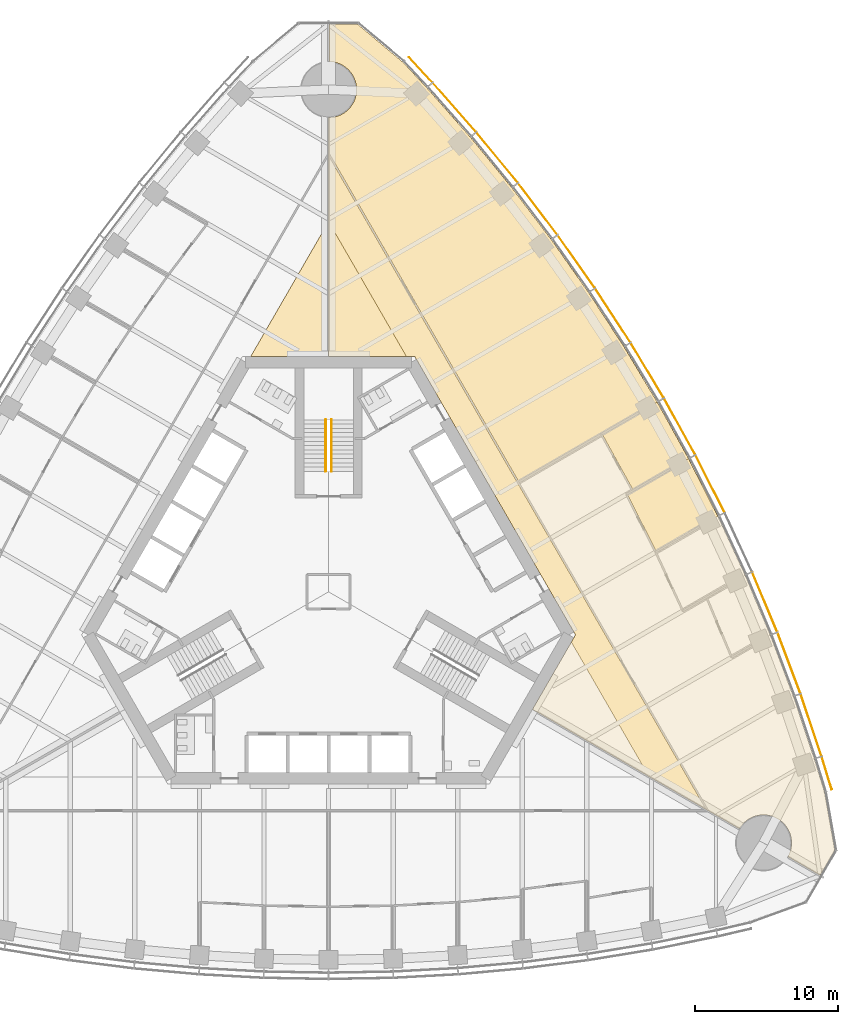
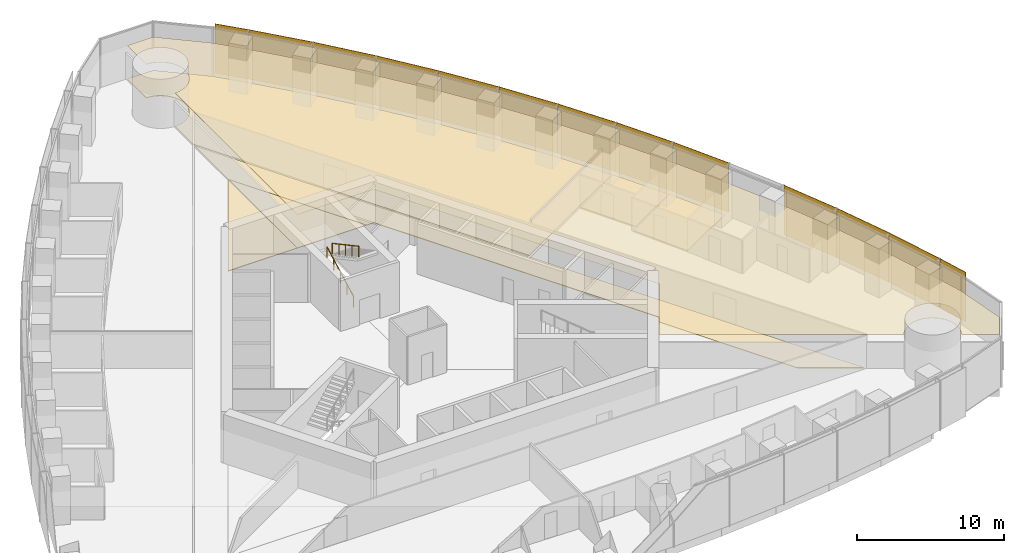
# One storey, part 17 of 19: 13 shading devices, 7 coverings, 2 railings.
"""IFC4 building model written with IfcOpenShell, lengths in metres."""

from ifc_helpers import new_model, si_unit, direction, frame, origin, origin_2d, place, context, subcontext, project, spatial, polyline, rectangle, circle, outline, extrude, material, layer, layer_set, type_object, element, save


model = new_model("IFC4")

# Units and contexts
model_context = context("Model", 3, precision=1e-05, world=origin(), true_north=direction((0.0, 1.0)))
body_context = subcontext(model_context, "Body", "Model", "MODEL_VIEW")
ifc_project = project(units=[si_unit("LENGTHUNIT", "METRE"), si_unit("AREAUNIT", "SQUARE_METRE"), si_unit("VOLUMEUNIT", "CUBIC_METRE"), si_unit("PLANEANGLEUNIT", "RADIAN"), si_unit("MASSUNIT", "GRAM", prefix="KILO")], contexts=[model_context])

# Site, building, storey
site_placement = place(None, origin())
site = spatial("IfcSite", under=ifc_project, at=site_placement, CompositionType="ELEMENT")
building_placement = place(site_placement, origin())
building = spatial("IfcBuilding", under=site, at=building_placement, Name="Trefoil Bronze Tower", CompositionType="ELEMENT")
storey_placement = place(building_placement, frame((0.0, 0.0, 132.5)))
storey = spatial("IfcBuildingStorey", under=building, at=storey_placement, Name="L30", CompositionType="ELEMENT", Elevation=132.5)

# Shading devices
ifc_material_1 = material(Name="Perforated bronze sheet", Category="bronze")
ifc_layer_1 = layer(ifc_material_1, 0.0400390625)
ifc_layer_set_1 = layer_set([ifc_layer_1], Name="Bronze solar screen panel")
shading_device_type = type_object("IfcShadingDeviceType", Name="Bronze solar screen panel", PredefinedType="SHUTTER", material=ifc_layer_set_1)
shading_device_1_placement = place(storey_placement, frame((34.717529296875, -12.634765625, 0.050048828125), z_axis=(0.0, 0.0, 1.0), x_axis=(-0.291668676391, 0.956519410787, 0.0)))
element("IfcShadingDevice", 1, at=shading_device_1_placement, inside=storey, type_object=shading_device_type, Name="Solar screen CW-A L30 F2 bay 1", PredefinedType="SHUTTER", context=body_context, shape_type="SweptSolid", body=[
    extrude(rectangle(XDim=2.39013671875, YDim=0.0400390625, at=origin_2d()), origin(), (0.0, 0.0, 1.0), 4.10009765625),
])
shading_device_2_placement = place(storey_placement, frame((33.62890625, -9.286865234375, 0.050048828125), z_axis=(0.0, 0.0, 1.0), x_axis=(-0.318403749569, 0.947955195281, 0.0)))
element("IfcShadingDevice", 2, at=shading_device_2_placement, inside=storey, type_object=shading_device_type, Name="Solar screen CW-A L30 F2 bay 2", PredefinedType="SHUTTER", context=body_context, shape_type="SweptSolid", body=[
    extrude(rectangle(XDim=4.56103515625, YDim=0.0400390625, at=origin_2d()), origin(), (0.0, 0.0, 1.0), 4.10009765625),
])
shading_device_3_placement = place(storey_placement, frame((32.086669921875, -4.95849609375, 0.050048828125), z_axis=(0.0, 0.0, 1.0), x_axis=(-0.352919739707, 0.935653599002, 0.0)))
element("IfcShadingDevice", 3, at=shading_device_3_placement, inside=storey, type_object=shading_device_type, Name="Solar screen CW-A L30 F2 bay 3", PredefinedType="SHUTTER", context=body_context, shape_type="SweptSolid", body=[
    extrude(rectangle(XDim=4.5302734375, YDim=0.0400390625, at=origin_2d()), origin(), (0.0, 0.0, 1.0), 4.10009765625),
])
shading_device_4_placement = place(storey_placement, frame((30.3974609375, -0.715087890625, 0.050048828125), z_axis=(0.0, 0.0, 1.0), x_axis=(-0.386759234303, 0.922180727776, 0.0)))
element("IfcShadingDevice", 4, at=shading_device_4_placement, inside=storey, type_object=shading_device_type, Name="Solar screen CW-A L30 F2 bay 4", PredefinedType="SHUTTER", context=body_context, shape_type="SweptSolid", body=[
    extrude(rectangle(XDim=4.50634765625, YDim=0.0400390625, at=origin_2d()), origin(), (0.0, 0.0, 1.0), 4.10009765625),
])
shading_device_5_placement = place(storey_placement, frame((26.5869140625, 7.52197265625, 0.050048828125), z_axis=(0.0, 0.0, 1.0), x_axis=(-0.452448919686, 0.891790320128, 0.0)))
element("IfcShadingDevice", 5, at=shading_device_5_placement, inside=storey, type_object=shading_device_type, Name="Solar screen CW-A L30 F2 bay 6", PredefinedType="SHUTTER", context=body_context, shape_type="SweptSolid", body=[
    extrude(rectangle(XDim=4.4765625, YDim=0.0400390625, at=origin_2d()), origin(), (0.0, 0.0, 1.0), 4.10009765625),
])
for number, where, z_axis, x_axis, name in (
    (6, (24.468505859375, 11.517578125, 0.050048828125), (0.0, 0.0, 1.0), (-0.484312195836, 0.874895249138, 0.0), "Solar screen CW-A L30 F2 bay 7"),
    (7, (22.208740234375, 15.431396484375, 0.050048828125), (0.0, 0.0, 1.0), (-0.515525413486, 0.856874289526, 0.0), "Solar screen CW-A L30 F2 bay 8"),
):
    element("IfcShadingDevice", number, at=place(storey_placement, frame(where, z_axis=z_axis, x_axis=x_axis)), inside=storey, type_object=shading_device_type, Name=name, PredefinedType="SHUTTER", context=body_context, shape_type="SweptSolid", body=[
        extrude(rectangle(XDim=4.470703125, YDim=0.0400390625, at=origin_2d()), origin(), (0.0, 0.0, 1.0), 4.10009765625),
    ])
shading_device_6_placement = place(storey_placement, frame((19.8076171875, 19.263916015625, 0.050048828125), z_axis=(0.0, 0.0, 1.0), x_axis=(-0.546088612237, 0.837727418427, 0.0)))
element("IfcShadingDevice", 8, at=shading_device_6_placement, inside=storey, type_object=shading_device_type, Name="Solar screen CW-A L30 F2 bay 9", PredefinedType="SHUTTER", context=body_context, shape_type="SweptSolid", body=[
    extrude(rectangle(XDim=4.4765625, YDim=0.0400390625, at=origin_2d()), origin(), (0.0, 0.0, 1.0), 4.10009765625),
])
shading_device_7_placement = place(storey_placement, frame((17.264892578125, 23.014404296875, 0.050048828125), z_axis=(0.0, 0.0, 1.0), x_axis=(-0.575999283275, 0.817450197667, 0.0)))
element("IfcShadingDevice", 9, at=shading_device_7_placement, inside=storey, type_object=shading_device_type, Name="Solar screen CW-A L30 F2 bay 10", PredefinedType="SHUTTER", context=body_context, shape_type="SweptSolid", body=[
    extrude(rectangle(XDim=4.48828125, YDim=0.0400390625, at=origin_2d()), origin(), (0.0, 0.0, 1.0), 4.10009765625),
])
shading_device_8_placement = place(storey_placement, frame((14.579345703125, 26.6826171875, 0.050048828125), z_axis=(0.0, 0.0, 1.0), x_axis=(-0.605252319983, 0.796033685943, 0.0)))
element("IfcShadingDevice", 10, at=shading_device_8_placement, inside=storey, type_object=shading_device_type, Name="Solar screen CW-A L30 F2 bay 11", PredefinedType="SHUTTER", context=body_context, shape_type="SweptSolid", body=[
    extrude(rectangle(XDim=4.50634765625, YDim=0.0400390625, at=origin_2d()), origin(), (0.0, 0.0, 1.0), 4.10009765625),
])
shading_device_9_placement = place(storey_placement, frame((11.7490234375, 30.26708984375, 0.050048828125), z_axis=(0.0, 0.0, 1.0), x_axis=(-0.633839916024, 0.773464259584, 0.0)))
element("IfcShadingDevice", 11, at=shading_device_9_placement, inside=storey, type_object=shading_device_type, Name="Solar screen CW-A L30 F2 bay 12", PredefinedType="SHUTTER", context=body_context, shape_type="SweptSolid", body=[
    extrude(rectangle(XDim=4.5302734375, YDim=0.0400390625, at=origin_2d()), origin(), (0.0, 0.0, 1.0), 4.10009765625),
])
shading_device_10_placement = place(storey_placement, frame((8.77197265625, 33.766845703125, 0.050048828125), z_axis=(0.0, 0.0, 1.0), x_axis=(-0.661751405978, 0.749723333428, 0.0)))
element("IfcShadingDevice", 12, at=shading_device_10_placement, inside=storey, type_object=shading_device_type, Name="Solar screen CW-A L30 F2 bay 13", PredefinedType="SHUTTER", context=body_context, shape_type="SweptSolid", body=[
    extrude(rectangle(XDim=4.56103515625, YDim=0.0400390625, at=origin_2d()), origin(), (0.0, 0.0, 1.0), 4.10009765625),
])
shading_device_11_placement = place(storey_placement, frame((6.416748046875, 36.383544921875, 0.050048828125), z_axis=(0.0, 0.0, 1.0), x_axis=(-0.682535770759, 0.730852188636, 0.0)))
element("IfcShadingDevice", 13, at=shading_device_11_placement, inside=storey, type_object=shading_device_type, Name="Solar screen CW-A L30 F2 bay 14", PredefinedType="SHUTTER", context=body_context, shape_type="SweptSolid", body=[
    extrude(rectangle(XDim=2.39013671875, YDim=0.0400390625, at=origin_2d()), origin(), (0.0, 0.0, 1.0), 4.10009765625),
])

# Railings
ifc_material_2 = material(Name="Steel handrail", Category="steel")
railing_type = type_object("IfcRailingType", Name="Handrail 900", PredefinedType="HANDRAIL", material=ifc_material_2)
railing_1_placement = place(storey_placement, frame((-0.199951171875, 8.389892578125, 0.16162109375)))
element("IfcRailing", 14, at=railing_1_placement, inside=storey, type_object=railing_type, Name="Handrail ST2 flight 1 L30", PredefinedType="HANDRAIL", context=body_context, shape_type="SweptSolid", body=[
    extrude(circle(Radius=0.02392578125, at=origin_2d()), frame((0.0, 0.0, 0.8759765625), z_axis=(0.0, 0.880474934443, 0.474092701714), x_axis=(-1.0, 0.0, 0.0)), (0.0, 0.0, 1.0), 4.0888671875),
    extrude(circle(Radius=0.02099609375, at=origin_2d()), origin(), (0.0, 0.0, 1.0), 0.851806640625),
    extrude(circle(Radius=0.02099609375, at=origin_2d()), frame((0.0, 0.89990234375, 0.484619140625)), (0.0, 0.0, 1.0), 0.851806640625),
    extrude(circle(Radius=0.02099609375, at=origin_2d()), frame((0.0, 1.800048828125, 0.96923828125)), (0.0, 0.0, 1.0), 0.851806640625),
    extrude(circle(Radius=0.02099609375, at=origin_2d()), frame((0.0, 2.7001953125, 1.453857421875)), (0.0, 0.0, 1.0), 0.851806640625),
    extrude(circle(Radius=0.02099609375, at=origin_2d()), frame((0.0, 3.60009765625, 1.9384765625)), (0.0, 0.0, 1.0), 0.851806640625),
])
railing_2_placement = place(storey_placement, frame((0.199951171875, 11.989990234375, 2.261474609375)))
element("IfcRailing", 15, at=railing_2_placement, inside=storey, type_object=railing_type, Name="Handrail ST2 flight 2 L30", PredefinedType="HANDRAIL", context=body_context, shape_type="SweptSolid", body=[
    extrude(circle(Radius=0.02392578125, at=origin_2d()), frame((0.0, 0.0, 0.8759765625), z_axis=(0.0, -0.880474934443, 0.474092701714), x_axis=(1.0, 0.0, 0.0)), (0.0, 0.0, 1.0), 4.0888671875),
    extrude(circle(Radius=0.02099609375, at=origin_2d()), origin(), (0.0, 0.0, 1.0), 0.851806640625),
    extrude(circle(Radius=0.02099609375, at=origin_2d()), frame((0.0, -0.89990234375, 0.484619140625)), (0.0, 0.0, 1.0), 0.851806640625),
    extrude(circle(Radius=0.02099609375, at=origin_2d()), frame((0.0, -1.800048828125, 0.96923828125)), (0.0, 0.0, 1.0), 0.851806640625),
    extrude(circle(Radius=0.02099609375, at=origin_2d()), frame((0.0, -2.7001953125, 1.453857421875)), (0.0, 0.0, 1.0), 0.851806640625),
    extrude(circle(Radius=0.02099609375, at=origin_2d()), frame((0.0, -3.60009765625, 1.9384765625)), (0.0, 0.0, 1.0), 0.851806640625),
])

# Coverings
ifc_material_3 = material(Name="Acoustic ceiling panels", Category="mineral fibre")
ifc_layer_2 = layer(ifc_material_3, 0.02001953125)
ifc_layer_set_2 = layer_set([ifc_layer_2], Name="Office ceiling 20")
covering_type_1 = type_object("IfcCoveringType", Name="Office ceiling 20", PredefinedType="CEILING", material=ifc_layer_set_2)
covering_1_placement = place(storey_placement, frame((0.0, 0.0, 2.89990234375)))
element("IfcCovering", 16, at=covering_1_placement, inside=storey, type_object=covering_type_1, Name="Ceiling L30 Open-plan office F2", PredefinedType="CEILING", context=body_context, shape_type="SweptSolid", body=[
    extrude(outline(polyline([(6.847900390625, 35.130615234375), (9.885986328125, 31.6884765625), (12.776611328125, 28.1611328125), (15.522216796875, 24.55029296875), (18.124755859375, 20.856689453125), (20.585693359375, 17.081298828125), (22.906005859375, 13.224853515625), (25.085693359375, 9.287109375), (27.124755859375, 5.268310546875), (29.022216796875, 1.16748046875), (30.776611328125, -3.015625), (32.385986328125, -7.28271484375), (33.847900390625, -11.634765625), (34.5537109375, -13.94970703125), (35.2666015625, -17.99169921875), (34.247802734375, -19.755859375), (32.006103515625, -18.462646484375), (32.030517578125, -18.419189453125), (32.07373046875, -18.333740234375), (32.112548828125, -18.24609375), (32.14697265625, -18.156982421875), (32.177001953125, -18.066162109375), (32.202392578125, -17.973876953125), (32.223388671875, -17.88037109375), (32.23974609375, -17.7861328125), (32.25146484375, -17.691162109375), (32.258544921875, -17.595703125), (32.260986328125, -17.5), (32.258544921875, -17.404296875), (32.25146484375, -17.308837890625), (32.23974609375, -17.2138671875), (32.223388671875, -17.11962890625), (32.202392578125, -17.026123046875), (32.177001953125, -16.933837890625), (32.14697265625, -16.843017578125), (32.112548828125, -16.75390625), (32.07373046875, -16.666259765625), (32.030517578125, -16.580810546875), (31.9833984375, -16.49755859375), (31.932373046875, -16.41650390625), (31.877197265625, -16.33837890625), (31.818359375, -16.262939453125), (31.755615234375, -16.1904296875), (31.689697265625, -16.12109375), (31.620361328125, -16.05517578125), (31.548095703125, -15.99267578125), (31.472412109375, -15.93359375), (31.394287109375, -15.878662109375), (31.3134765625, -15.827392578125), (31.22998046875, -15.7802734375), (31.14453125, -15.7373046875), (31.05712890625, -15.698486328125), (30.9677734375, -15.6640625), (30.876953125, -15.634033203125), (30.78466796875, -15.6083984375), (30.69140625, -15.58740234375), (30.596923828125, -15.571044921875), (30.501953125, -15.559326171875), (30.406494140625, -15.55224609375), (30.310791015625, -15.550048828125), (30.215087890625, -15.55224609375), (30.119873046875, -15.559326171875), (30.02490234375, -15.571044921875), (29.930419921875, -15.58740234375), (29.837158203125, -15.6083984375), (29.744873046875, -15.634033203125), (29.654052734375, -15.6640625), (29.564697265625, -15.698486328125), (29.477294921875, -15.7373046875), (29.3916015625, -15.7802734375), (29.308349609375, -15.827392578125), (29.2275390625, -15.878662109375), (29.1494140625, -15.93359375), (29.07373046875, -15.99267578125), (29.001220703125, -16.05517578125), (28.931884765625, -16.12109375), (28.865966796875, -16.1904296875), (28.803466796875, -16.262939453125), (28.74462890625, -16.33837890625), (28.689453125, -16.41650390625), (28.628662109375, -16.514404296875), (14.205810546875, -8.194580078125), (17.205078125, -3.0), (6.00439453125, 16.39990234375), (0.006103515625, 16.39990234375), (0.012451171875, 33.05029296875), (0.095703125, 33.05224609375), (0.191162109375, 33.059326171875), (0.2861328125, 33.071044921875), (0.38037109375, 33.08740234375), (0.473876953125, 33.1083984375), (0.566162109375, 33.134033203125), (0.656982421875, 33.1640625), (0.74609375, 33.198486328125), (0.833740234375, 33.2373046875), (0.919189453125, 33.2802734375), (1.00244140625, 33.327392578125), (1.08349609375, 33.378662109375), (1.16162109375, 33.43359375), (1.237060546875, 33.49267578125), (1.3095703125, 33.55517578125), (1.37890625, 33.62109375), (1.44482421875, 33.6904296875), (1.50732421875, 33.762939453125), (1.56640625, 33.83837890625), (1.621337890625, 33.91650390625), (1.672607421875, 33.99755859375), (1.7197265625, 34.080810546875), (1.7626953125, 34.166259765625), (1.801513671875, 34.25390625), (1.8359375, 34.343017578125), (1.865966796875, 34.433837890625), (1.8916015625, 34.526123046875), (1.91259765625, 34.61962890625), (1.928955078125, 34.7138671875), (1.940673828125, 34.808837890625), (1.94775390625, 34.904296875), (1.949951171875, 35.0), (1.94775390625, 35.095703125), (1.940673828125, 35.191162109375), (1.928955078125, 35.2861328125), (1.91259765625, 35.38037109375), (1.8916015625, 35.473876953125), (1.865966796875, 35.566162109375), (1.8359375, 35.656982421875), (1.801513671875, 35.74609375), (1.7626953125, 35.833740234375), (1.7197265625, 35.919189453125), (1.672607421875, 36.00244140625), (1.621337890625, 36.08349609375), (1.56640625, 36.16162109375), (1.50732421875, 36.237060546875), (1.44482421875, 36.3095703125), (1.37890625, 36.37890625), (1.3095703125, 36.44482421875), (1.237060546875, 36.50732421875), (1.16162109375, 36.56640625), (1.08349609375, 36.621337890625), (1.00244140625, 36.672607421875), (0.919189453125, 36.7197265625), (0.833740234375, 36.7626953125), (0.74609375, 36.801513671875), (0.656982421875, 36.8359375), (0.566162109375, 36.865966796875), (0.473876953125, 36.8916015625), (0.38037109375, 36.91259765625), (0.2861328125, 36.928955078125), (0.191162109375, 36.940673828125), (0.095703125, 36.94775390625), (0.013916015625, 36.94970703125), (0.014892578125, 39.53759765625), (2.052001953125, 39.53759765625), (5.1962890625, 36.8994140625), (6.847900390625, 35.130615234375)])), origin(), (0.0, 0.0, 1.0), 0.02001953125),
])
ifc_material_4 = material(Name="Raised access floor panels", Category="steel")
ifc_layer_3 = layer(ifc_material_4, 0.050048828125)
ifc_layer_set_3 = layer_set([ifc_layer_3], Name="Raised access floor 150")
covering_type_2 = type_object("IfcCoveringType", Name="Raised access floor 150", PredefinedType="FLOORING", material=ifc_layer_set_3)
covering_2_placement = place(storey_placement, frame((0.0, 0.0, 0.10009765625)))
element("IfcCovering", 17, at=covering_2_placement, inside=storey, type_object=covering_type_2, Name="Raised floor L30 Project room F2", PredefinedType="FLOORING", context=body_context, shape_type="SweptSolid", body=[
    extrude(outline(polyline([(22.906005859375, 13.224853515625), (25.085693359375, 9.287109375), (23.80322265625, 8.546630859375), (23.773193359375, 8.5986328125), (21.211669921875, 7.11962890625), (19.097412109375, 10.939208984375), (21.661865234375, 12.419921875), (21.62451171875, 12.48486328125), (22.906005859375, 13.224853515625)])), origin(), (0.0, 0.0, 1.0), 0.0498046875),
])
covering_3_placement = place(storey_placement, frame((0.0, 0.0, 0.10009765625)))
element("IfcCovering", 18, at=covering_3_placement, inside=storey, type_object=covering_type_2, Name="Raised floor L30 Meeting room F2", PredefinedType="FLOORING", context=body_context, shape_type="SweptSolid", body=[
    extrude(outline(polyline([(25.085693359375, 9.287109375), (27.124755859375, 5.268310546875), (25.83984375, 4.5263671875), (25.809814453125, 4.578369140625), (22.819580078125, 2.851806640625), (20.8349609375, 6.763671875), (23.833251953125, 8.49462890625), (23.80322265625, 8.546630859375), (25.085693359375, 9.287109375)])), origin(), (0.0, 0.0, 1.0), 0.0498046875),
])
covering_4_placement = place(storey_placement, frame((0.0, 0.0, 0.10009765625)))
element("IfcCovering", 19, at=covering_4_placement, inside=storey, type_object=covering_type_2, Name="Raised floor L30 Corridor F2", PredefinedType="FLOORING", context=body_context, shape_type="SweptSolid", body=[
    extrude(outline(polyline([(26.31591796875, -15.180419921875), (22.333740234375, -12.88330078125), (16.91650390625, -3.5), (17.205078125, -3.0), (6.00439453125, 16.39990234375), (5.427001953125, 16.39990234375), (0.009765625, 25.783203125), (0.011474609375, 30.38037109375), (26.31591796875, -15.180419921875)])), origin(), (0.0, 0.0, 1.0), 0.0498046875),
])
covering_5_placement = place(storey_placement, frame((0.0, 0.0, 0.10009765625)))
element("IfcCovering", 20, at=covering_5_placement, inside=storey, type_object=covering_type_2, Name="Raised floor L30 Open-plan office F2", PredefinedType="FLOORING", context=body_context, shape_type="SweptSolid", body=[
    extrude(outline(polyline([(12.776611328125, 28.1611328125), (15.522216796875, 24.55029296875), (18.124755859375, 20.856689453125), (20.585693359375, 17.081298828125), (22.905517578125, 13.2255859375), (21.623779296875, 12.485595703125), (21.5869140625, 12.5498046875), (13.22998046875, 7.72509765625), (0.068359375, 30.521484375), (0.011474609375, 30.488525390625), (0.012451171875, 33.05029296875), (0.095703125, 33.05224609375), (0.191162109375, 33.059326171875), (0.2861328125, 33.071044921875), (0.38037109375, 33.08740234375), (0.473876953125, 33.1083984375), (0.566162109375, 33.134033203125), (0.656982421875, 33.1640625), (0.74609375, 33.198486328125), (0.833740234375, 33.2373046875), (0.919189453125, 33.2802734375), (1.00244140625, 33.327392578125), (1.08349609375, 33.378662109375), (1.16162109375, 33.43359375), (1.237060546875, 33.49267578125), (1.3095703125, 33.55517578125), (1.37890625, 33.62109375), (1.44482421875, 33.6904296875), (1.50732421875, 33.762939453125), (1.56640625, 33.83837890625), (1.621337890625, 33.91650390625), (1.672607421875, 33.99755859375), (1.7197265625, 34.080810546875), (1.7626953125, 34.166259765625), (1.801513671875, 34.25390625), (1.8359375, 34.343017578125), (1.865966796875, 34.433837890625), (1.8916015625, 34.526123046875), (1.91259765625, 34.61962890625), (1.928955078125, 34.7138671875), (1.940673828125, 34.808837890625), (1.94775390625, 34.904296875), (1.949951171875, 35.0), (1.94775390625, 35.095703125), (1.940673828125, 35.191162109375), (1.928955078125, 35.2861328125), (1.91259765625, 35.38037109375), (1.8916015625, 35.473876953125), (1.865966796875, 35.566162109375), (1.8359375, 35.656982421875), (1.801513671875, 35.74609375), (1.7626953125, 35.833740234375), (1.7197265625, 35.919189453125), (1.672607421875, 36.00244140625), (1.621337890625, 36.08349609375), (1.56640625, 36.16162109375), (1.50732421875, 36.237060546875), (1.44482421875, 36.3095703125), (1.37890625, 36.37890625), (1.3095703125, 36.44482421875), (1.237060546875, 36.50732421875), (1.16162109375, 36.56640625), (1.08349609375, 36.621337890625), (1.00244140625, 36.672607421875), (0.919189453125, 36.7197265625), (0.833740234375, 36.7626953125), (0.74609375, 36.801513671875), (0.656982421875, 36.8359375), (0.566162109375, 36.865966796875), (0.473876953125, 36.8916015625), (0.38037109375, 36.91259765625), (0.2861328125, 36.928955078125), (0.191162109375, 36.940673828125), (0.095703125, 36.94775390625), (0.013916015625, 36.94970703125), (0.014892578125, 39.53759765625), (2.052001953125, 39.53759765625), (5.1962890625, 36.8994140625), (6.847900390625, 35.130615234375), (9.885986328125, 31.6884765625), (12.776611328125, 28.1611328125)])), origin(), (0.0, 0.0, 1.0), 0.0498046875),
])
covering_6_placement = place(storey_placement, frame((0.0, 0.0, 0.10009765625)))
element("IfcCovering", 21, at=covering_6_placement, inside=storey, type_object=covering_type_2, Name="Raised floor L30 Open-plan office F2", PredefinedType="FLOORING", context=body_context, shape_type="SweptSolid", body=[
    extrude(outline(polyline([(0.006103515625, 16.39990234375), (0.009765625, 25.783203125), (5.427001953125, 16.39990234375), (0.006103515625, 16.39990234375)])), origin(), (0.0, 0.0, 1.0), 0.0498046875),
])
covering_7_placement = place(storey_placement, frame((0.0, 0.0, 0.10009765625)))
element("IfcCovering", 22, at=covering_7_placement, inside=storey, type_object=covering_type_2, Name="Raised floor L30 Open-plan office F3", PredefinedType="FLOORING", context=body_context, shape_type="SweptSolid", body=[
    extrude(outline(polyline([(-0.009765625, 25.783203125), (-0.006103515625, 16.39990234375), (-5.427001953125, 16.39990234375), (-0.009765625, 25.783203125)])), origin(), (0.0, 0.0, 1.0), 0.0498046875),
])

save(model, "model.ifc")
